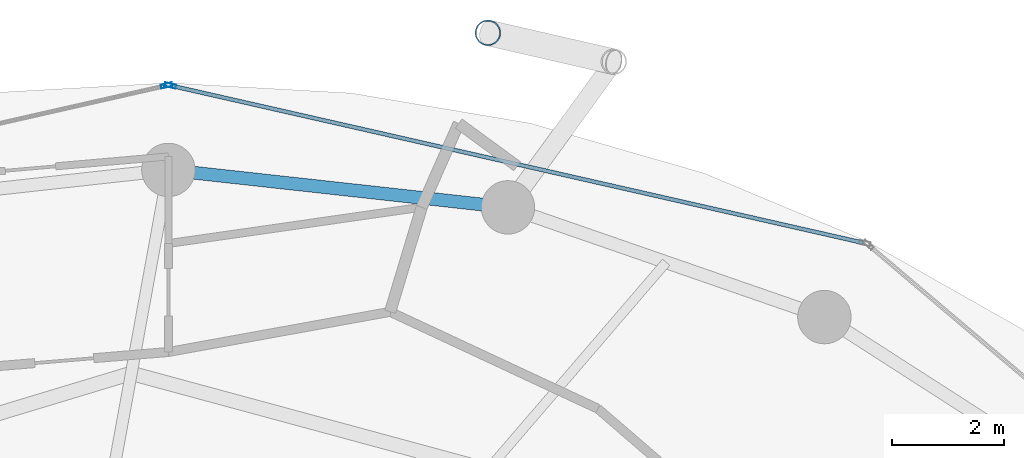
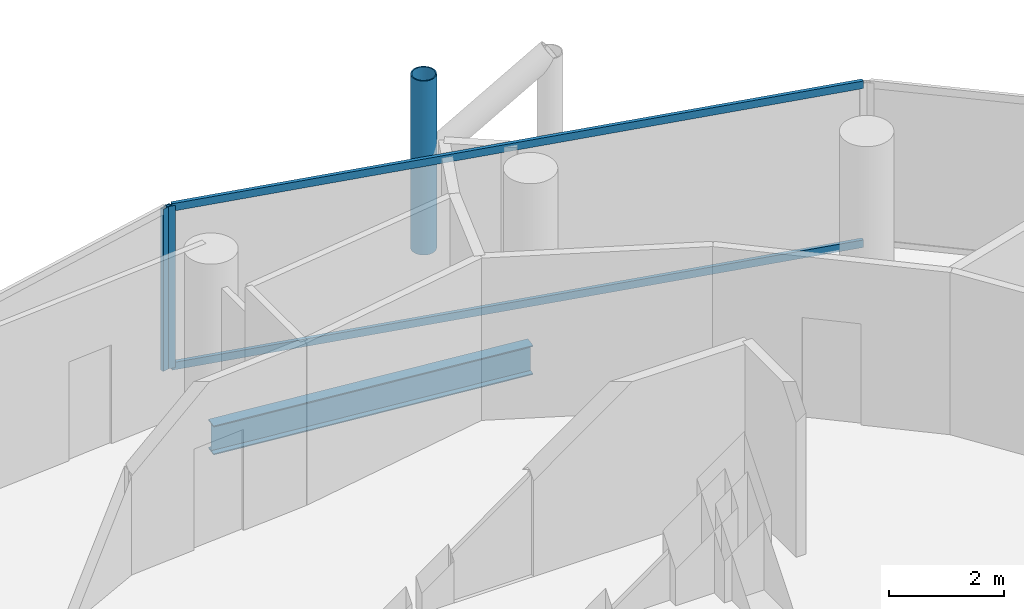
# One storey, part 17 of 27: 5 members, 1 beam, 2 elements without a shape of their own.
"""IFC4 building model written with IfcOpenShell, lengths in metres."""

from ifc_helpers import new_model, si_unit, direction, frame, origin, origin_2d, place, context, subcontext, project, spatial, hollow_rectangle, hollow_circle, i_section, extrude, material, layer, layer_set, material_profile, profile_set, type_object, element, aggregate, save


model = new_model("IFC4")

# Units and contexts
model_context = context("Model", 3, precision=1e-05, world=origin(), true_north=direction((0.0, 1.0)))
body_context = subcontext(model_context, "Body", "Model", "MODEL_VIEW")
ifc_project = project(units=[si_unit("LENGTHUNIT", "METRE"), si_unit("AREAUNIT", "SQUARE_METRE"), si_unit("VOLUMEUNIT", "CUBIC_METRE"), si_unit("PLANEANGLEUNIT", "RADIAN"), si_unit("MASSUNIT", "GRAM", prefix="KILO")], contexts=[model_context])

# Site, building, storey
site_placement = place(None, origin())
site = spatial("IfcSite", under=ifc_project, at=site_placement, CompositionType="ELEMENT")
building_placement = place(site_placement, origin())
building = spatial("IfcBuilding", under=site, at=building_placement, Name="Nuhasar Tower", CompositionType="ELEMENT")
storey_placement = place(building_placement, frame((0.0, 0.0, 158.949951171875)))
storey = spatial("IfcBuildingStorey", under=building, at=storey_placement, Name="L38", CompositionType="ELEMENT", Elevation=158.949951171875)

# Beam
ifc_material_1 = material(Name="Steel S355", Category="steel")
ifc_material_profile_1 = material_profile(ifc_material_1, i_section(OverallWidth=0.22998046875, OverallDepth=0.616943359375, WebThickness=0.01318359375, FlangeThickness=0.022216796875, at=origin_2d()), Name="W24X94")
ifc_profile_set_1 = profile_set([ifc_material_profile_1], Name="Steel S355")
beam_type = type_object("IfcBeamType", Name="BM-RING-W24X94", PredefinedType="SPANDREL", material=ifc_profile_set_1)
beam_placement = place(storey_placement, frame((45.04296875, 45.68408203125, -0.558837890625), z_axis=(-0.993981289157, 0.109549974015, 0.0), x_axis=(-0.109549974015, -0.993981289157, 0.0)))
element("IfcBeam", 1, at=beam_placement, inside=storey, type_object=beam_type, Name="L38 Perimeter Ring Spandrel 06", PredefinedType="SPANDREL", context=body_context, shape_type="SweptSolid", body=[
    extrude(i_section(OverallWidth=0.22998046875, OverallDepth=0.616943359375, WebThickness=0.01318359375, FlangeThickness=0.022216796875, at=origin_2d()), origin(), (0.0, 0.0, 1.0), 6.07958984375),
])

# Curtain wall, member
ifc_material_2 = material(Name="Aluminium 6063-T6", Category="aluminium")
ifc_layer = layer(ifc_material_2, 0.199951171875)
ifc_layer_set = layer_set([ifc_layer], Name="Aluminium 6063-T6")
curtain_wall_type = type_object("IfcCurtainWallType", Name="CW-Z2-HTL", PredefinedType="NOTDEFINED", material=ifc_layer_set)
curtain_wall_1_placement = place(storey_placement, origin())
curtain_wall_1 = element("IfcCurtainWall", 2, at=curtain_wall_1_placement, inside=storey, type_object=curtain_wall_type, Name="L38 Unitised Curtain Wall 03", PredefinedType="NOTDEFINED")
ifc_material_profile_2 = material_profile(ifc_material_2, hollow_rectangle(XDim=0.070068359375, YDim=0.199951171875, WallThickness=0.0048828125, at=origin_2d()), Name="CWM-3")
ifc_profile_set_2 = profile_set([ifc_material_profile_2], Name="Aluminium 6063-T6")
member_type_1 = type_object("IfcMemberType", Name="CW-MUL-S3", PredefinedType="MULLION", material=ifc_profile_set_2)
member_1_placement = place(storey_placement, frame((39.0341796875, 47.852294921875, 0.0), z_axis=(0.0, 0.0, 1.0), x_axis=(-0.22139729566, -0.975183694221, 0.0)))
member_1 = element("IfcMember", 3, at=member_1_placement, type_object=member_type_1, Name="CW-Z2 mullion 2", PredefinedType="MULLION", context=body_context, shape_type="SweptSolid", body=[
    extrude(hollow_rectangle(XDim=0.070068359375, YDim=0.199951171875, WallThickness=0.0048828125, at=origin_2d()), origin(), (0.0, 0.0, 1.0), 3.449951171875),
])

curtain_wall_2_placement = place(storey_placement, origin())
curtain_wall_2 = element("IfcCurtainWall", 4, at=curtain_wall_2_placement, inside=storey, type_object=curtain_wall_type, Name="L38 Unitised Curtain Wall 04", PredefinedType="NOTDEFINED")
member_2_placement = place(storey_placement, frame((38.9658203125, 47.852294921875, 0.0), z_axis=(0.0, 0.0, 1.0), x_axis=(0.22139729566, -0.975183694221, 0.0)))
member_2 = element("IfcMember", 5, at=member_2_placement, type_object=member_type_1, Name="CW-Z2 mullion 1", PredefinedType="MULLION", context=body_context, shape_type="SweptSolid", body=[
    extrude(hollow_rectangle(XDim=0.070068359375, YDim=0.199951171875, WallThickness=0.0048828125, at=origin_2d()), origin(), (0.0, 0.0, 1.0), 3.449951171875),
])
aggregate(curtain_wall_2, [member_2])

# Member
ifc_material_profile_3 = material_profile(ifc_material_2, hollow_rectangle(XDim=0.070068359375, YDim=0.159912109375, WallThickness=0.00439453125, at=origin_2d()), Name="CWT-3")
ifc_profile_set_3 = profile_set([ifc_material_profile_3], Name="Aluminium 6063-T6")
member_type_2 = type_object("IfcMemberType", Name="CW-TRN-S3", PredefinedType="USERDEFINED", material=ifc_profile_set_3)
member_3_placement = place(storey_placement, frame((51.36181640625, 45.053466796875, 0.03515625), z_axis=(-0.975183434528, 0.221398439519, 0.0), x_axis=(-0.221398439519, -0.975183434528, 0.0)))
member_3 = element("IfcMember", 6, at=member_3_placement, type_object=member_type_2, Name="CW-Z2 transom 1.1", ObjectType="TRANSOM", PredefinedType="USERDEFINED", context=body_context, shape_type="SweptSolid", body=[
    extrude(hollow_rectangle(XDim=0.070068359375, YDim=0.159912109375, WallThickness=0.00439453125, at=origin_2d()), origin(), (0.0, 0.0, 1.0), 12.606201171875),
])

member_4_placement = place(storey_placement, frame((51.36181640625, 45.053466796875, 3.4150390625), z_axis=(-0.975183434528, 0.221398439519, 0.0), x_axis=(-0.221398439519, -0.975183434528, 0.0)))
member_4 = element("IfcMember", 7, at=member_4_placement, type_object=member_type_2, Name="CW-Z2 transom 1.2", ObjectType="TRANSOM", PredefinedType="USERDEFINED", context=body_context, shape_type="SweptSolid", body=[
    extrude(hollow_rectangle(XDim=0.070068359375, YDim=0.159912109375, WallThickness=0.00439453125, at=origin_2d()), origin(), (0.0, 0.0, 1.0), 12.606201171875),
])

aggregate(curtain_wall_1, [member_1, member_3, member_4])

ifc_material_3 = material(Name="Steel S460", Category="steel")
ifc_material_profile_4 = material_profile(ifc_material_3, hollow_circle(Radius=0.228515625, WallThickness=0.022216796875, at=origin_2d()), Name="HSS457X22.2")
ifc_profile_set_4 = profile_set([ifc_material_profile_4], Name="Steel S460")
member_type_3 = type_object("IfcMemberType", Name="EXO-BRONZE-457", PredefinedType="BRACE", material=ifc_profile_set_4)
member_5_placement = place(storey_placement, frame((44.68603515625, 48.7900390625, 0.0), z_axis=(0.0, 0.0, 1.0), x_axis=(1.0, 0.0, 0.0)))
element("IfcMember", 8, at=member_5_placement, inside=storey, type_object=member_type_3, Name="L38 Exoskeleton Chord Column EC-03B", PredefinedType="BRACE", context=body_context, shape_type="SweptSolid", body=[
    extrude(hollow_circle(Radius=0.228515625, WallThickness=0.022216796875, at=origin_2d()), origin(), (0.0, 0.0, 1.0), 3.699951171875),
])

save(model, "model.ifc")
